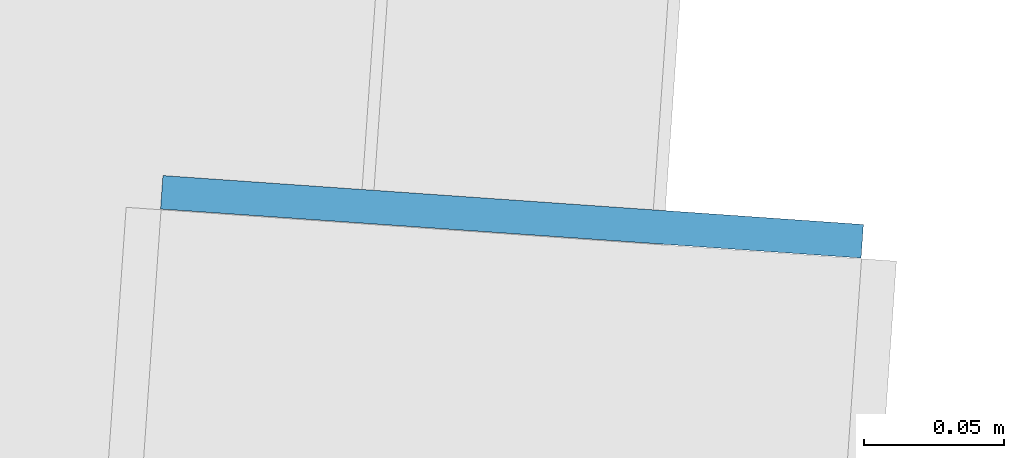
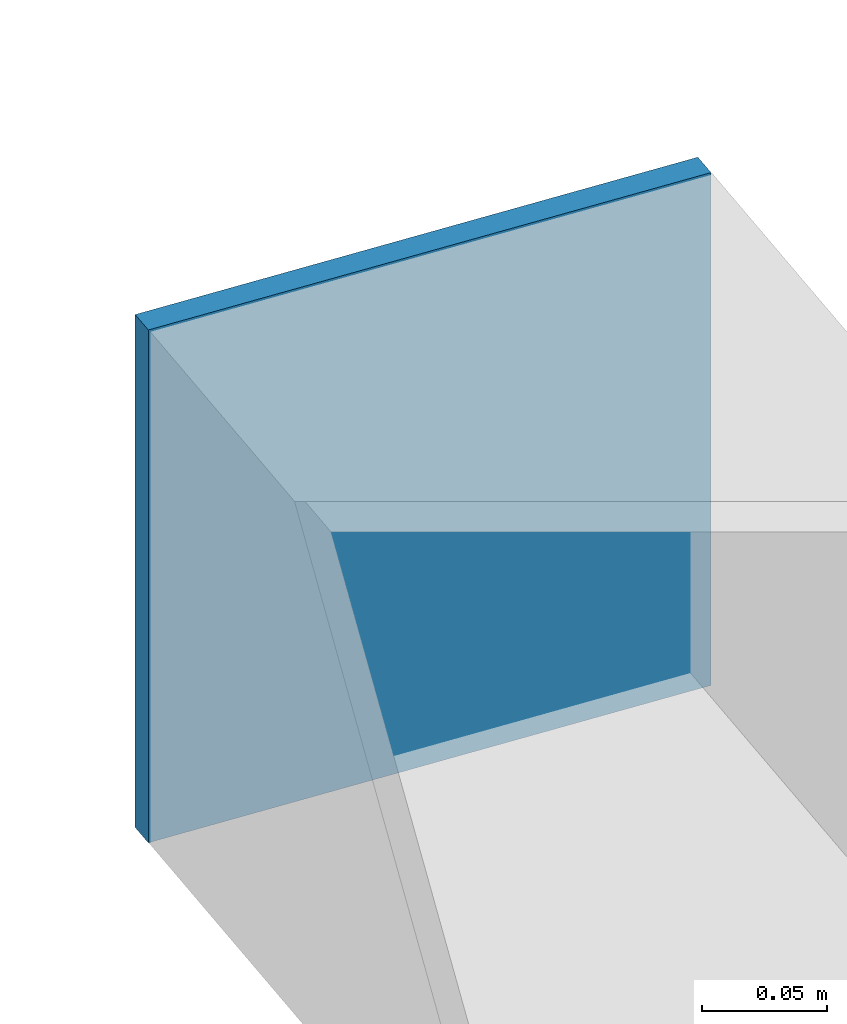
# One storey, part 34 of 39: 1 plate.
"""IFC4 building model written with IfcOpenShell, lengths in metres."""

from ifc_helpers import new_model, si_unit, direction, frame, origin, origin_2d, place, context, subcontext, project, spatial, rectangle, extrude, source, transform, mapped, material, layer, layer_set, type_object, element, save


model = new_model("IFC4")

# Units and contexts
model_context = context("Model", 3, precision=1e-05, world=origin(), true_north=direction((0.0, 1.0)))
body_context = subcontext(model_context, "Body", "Model", "MODEL_VIEW")
ifc_project = project(units=[si_unit("LENGTHUNIT", "METRE"), si_unit("AREAUNIT", "SQUARE_METRE"), si_unit("VOLUMEUNIT", "CUBIC_METRE"), si_unit("PLANEANGLEUNIT", "RADIAN"), si_unit("MASSUNIT", "GRAM", prefix="KILO")], contexts=[model_context])

# Site, building, storey
site_placement = place(None, origin())
site = spatial("IfcSite", under=ifc_project, at=site_placement, CompositionType="ELEMENT")
building_placement = place(site_placement, origin())
building = spatial("IfcBuilding", under=site, at=building_placement, Name="Taldren Reach Tower", CompositionType="ELEMENT")
storey_placement = place(building_placement, frame((0.0, 0.0, 158.199951171875)))
storey = spatial("IfcBuildingStorey", under=building, at=storey_placement, Name="L48", CompositionType="ELEMENT", Elevation=158.199951171875)

# Plate
ifc_material = material(Name="Steel Gr 350 (C350L0)", Category="steel")
ifc_layer = layer(ifc_material, 0.011962890625)
ifc_layer_set = layer_set([ifc_layer], Name="Steel Gr 350 (C350L0)")
plate_type = type_object("IfcPlateType", Name="PL-CAP-250", PredefinedType="SHEET", material=ifc_layer_set)
shared_shape = source(origin(), body_context, "Body", "SweptSolid", [
    extrude(rectangle(XDim=0.25, YDim=0.011962890625, at=origin_2d()), origin(), (0.0, 0.0, 1.0), 0.25),
])
plate_placement = place(storey_placement, frame((58.544921875, 36.413818359375, 0.094970703125), z_axis=(0.0, 0.0, 1.0), x_axis=(0.99756405026, -0.069756473744, 0.0)))
element("IfcPlate", 1, at=plate_placement, inside=storey, type_object=plate_type, Name="Tie strut end cap plate B3-N6 L48", PredefinedType="SHEET", context=body_context, shape_type="MappedRepresentation", body=[
    mapped(shared_shape, transform((0.0, 0.0, 0.0), scale=1.0)),
])

save(model, "model.ifc")
